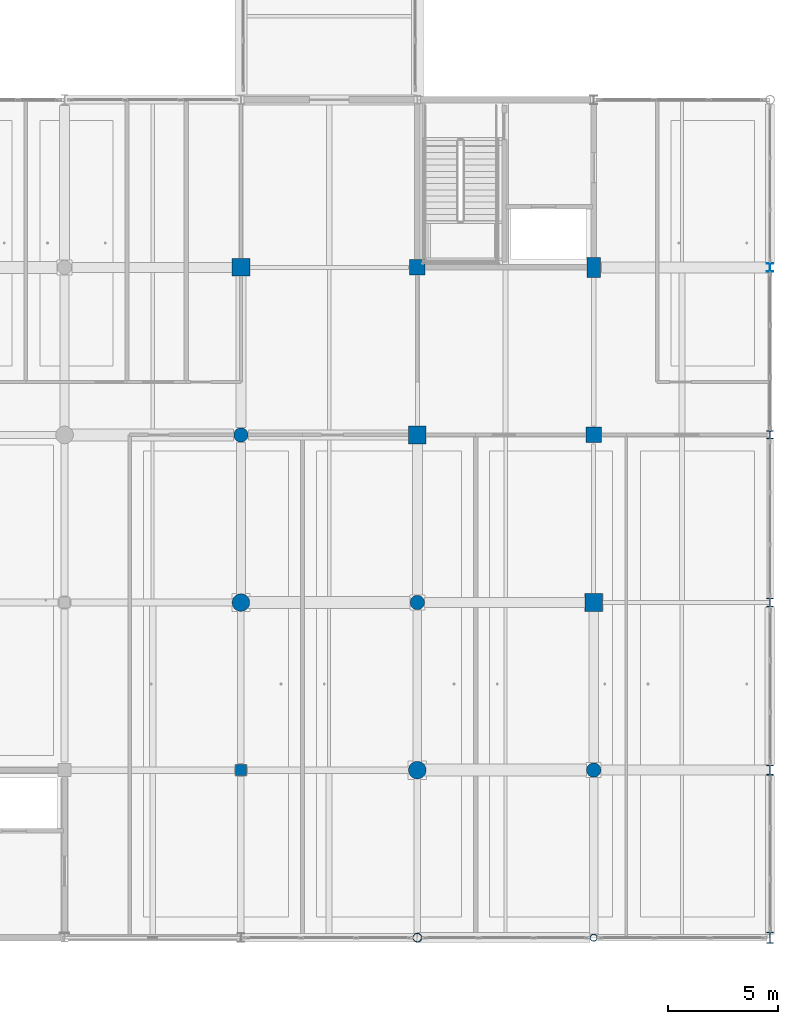
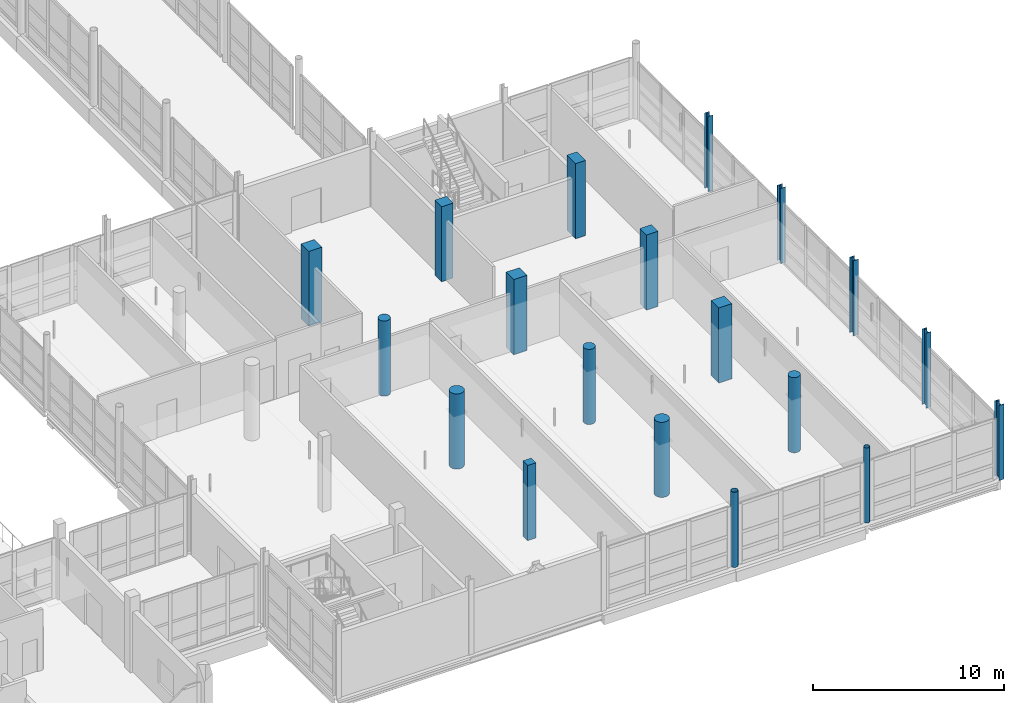
# One storey, part 7 of 147: 19 columns.
"""IFC4 building model written with IfcOpenShell, lengths in metres."""

from ifc_helpers import new_model, si_unit, direction, frame, origin, origin_2d, place, context, subcontext, project, spatial, rectangle, circle, hollow_circle, i_section, extrude, material, material_profile, profile_set, type_object, element, save


model = new_model("IFC4")

# Units and contexts
model_context = context("Model", 3, precision=1e-05, world=origin(), true_north=direction((0.0, 1.0)))
body_context = subcontext(model_context, "Body", "Model", "MODEL_VIEW")
ifc_project = project(units=[si_unit("LENGTHUNIT", "METRE"), si_unit("AREAUNIT", "SQUARE_METRE"), si_unit("VOLUMEUNIT", "CUBIC_METRE"), si_unit("PLANEANGLEUNIT", "RADIAN"), si_unit("MASSUNIT", "GRAM", prefix="KILO")], contexts=[model_context])

# Site, building, storey
site_placement = place(None, origin())
site = spatial("IfcSite", under=ifc_project, at=site_placement, CompositionType="ELEMENT")
building_placement = place(site_placement, origin())
building = spatial("IfcBuilding", under=site, at=building_placement, Name="Khelvaren Railside Concert Hall", CompositionType="ELEMENT")
storey_placement = place(building_placement, frame((0.0, 0.0, 5.39990234375)))
storey = spatial("IfcBuildingStorey", under=building, at=storey_placement, Name="L01", CompositionType="ELEMENT", Elevation=5.39990234375)

# Columns
ifc_material_1 = material(Name="Steel S355", Category="steel")
ifc_material_profile_1 = material_profile(ifc_material_1, i_section(OverallWidth=0.300048828125, OverallDepth=0.360107421875, WebThickness=0.012451171875, FlangeThickness=0.0224609375, FilletRadius=0.027099609375, at=origin_2d()), Name="HEB 360")
ifc_profile_set_1 = profile_set([ifc_material_profile_1], Name="Steel S355")
column_type_1 = type_object("IfcColumnType", Name="COL12", PredefinedType="COLUMN", material=ifc_profile_set_1)
column_1_placement = place(storey_placement, frame((184.0, 22.800048828125, 0.0), z_axis=(0.0, 0.0, 1.0), x_axis=(1.0, 0.0, 0.0)))
element("IfcColumn", 1, at=column_1_placement, inside=storey, type_object=column_type_1, Name="V2 L01 Column (184.0,22.8)", PredefinedType="COLUMN", context=body_context, shape_type="SweptSolid", body=[
    extrude(i_section(OverallWidth=0.300048828125, OverallDepth=0.360107421875, WebThickness=0.012451171875, FlangeThickness=0.0224609375, FilletRadius=0.027099609375, at=origin_2d()), origin(), (0.0, 0.0, 1.0), 4.800048828125),
])
ifc_material_2 = material(Name="Concrete C45/55", Category="concrete")
ifc_material_profile_2 = material_profile(ifc_material_2, circle(Radius=0.39990234375, at=origin_2d()), Name="RC D800")
ifc_profile_set_2 = profile_set([ifc_material_profile_2], Name="Concrete C45/55")
column_type_2 = type_object("IfcColumnType", Name="COL14", PredefinedType="COLUMN", material=ifc_profile_set_2)
for number, where, z_axis, x_axis, name in (
    (2, (160.0, 15.199951171875, 0.0), (0.0, 0.0, 1.0), (1.0, 0.0, 0.0), "V2 L01 Column (160.0,15.2)"),
    (3, (168.0, 7.60009765625, 0.0), (0.0, 0.0, 1.0), (1.0, 0.0, 0.0), "V2 L01 Column (168.0,7.6)"),
):
    element("IfcColumn", number, at=place(storey_placement, frame(where, z_axis=z_axis, x_axis=x_axis)), inside=storey, type_object=column_type_2, Name=name, PredefinedType="COLUMN", context=body_context, shape_type="SweptSolid", body=[
        extrude(circle(Radius=0.39990234375, at=origin_2d()), origin(), (0.0, 0.0, 1.0), 4.800048828125),
    ])
ifc_material_profile_3 = material_profile(ifc_material_1, i_section(OverallWidth=0.300048828125, OverallDepth=0.5, WebThickness=0.014404296875, FlangeThickness=0.028076171875, FilletRadius=0.027099609375, at=origin_2d()), Name="HEB 500")
ifc_profile_set_3 = profile_set([ifc_material_profile_3], Name="Steel S355")
column_type_3 = type_object("IfcColumnType", Name="COL15", PredefinedType="COLUMN", material=ifc_profile_set_3)
column_2_placement = place(storey_placement, frame((184.0, 0.0, 0.0), z_axis=(0.0, 0.0, 1.0), x_axis=(1.0, 0.0, 0.0)))
element("IfcColumn", 4, at=column_2_placement, inside=storey, type_object=column_type_3, Name="V2 L01 Column (184.0,0.0)", PredefinedType="COLUMN", context=body_context, shape_type="SweptSolid", body=[
    extrude(i_section(OverallWidth=0.300048828125, OverallDepth=0.5, WebThickness=0.014404296875, FlangeThickness=0.028076171875, FilletRadius=0.027099609375, at=origin_2d()), origin(), (0.0, 0.0, 1.0), 4.800048828125),
])
ifc_material_profile_4 = material_profile(ifc_material_2, rectangle(XDim=0.800048828125, YDim=0.800048828125, at=origin_2d()), Name="RC 800x800")
ifc_profile_set_4 = profile_set([ifc_material_profile_4], Name="Concrete C45/55")
column_type_4 = type_object("IfcColumnType", Name="COL20", PredefinedType="COLUMN", material=ifc_profile_set_4)
for number, where, z_axis, x_axis, name in (
    (5, (160.0, 30.39990234375, 0.0), (0.0, 0.0, 1.0), (1.0, 0.0, 0.0), "V2 L01 Column (160.0,30.4)"),
    (6, (168.0, 22.800048828125, 0.0), (0.0, 0.0, 1.0), (1.0, 0.0, 0.0), "V2 L01 Column (168.0,22.8)"),
    (7, (176.0, 15.199951171875, 0.0), (0.0, 0.0, 1.0), (1.0, 0.0, 0.0), "V2 L01 Column (176.0,15.2)"),
):
    element("IfcColumn", number, at=place(storey_placement, frame(where, z_axis=z_axis, x_axis=x_axis)), inside=storey, type_object=column_type_4, Name=name, PredefinedType="COLUMN", context=body_context, shape_type="SweptSolid", body=[
        extrude(rectangle(XDim=0.800048828125, YDim=0.800048828125, at=origin_2d()), origin(), (0.0, 0.0, 1.0), 4.800048828125),
    ])
ifc_material_profile_5 = material_profile(ifc_material_1, i_section(OverallWidth=0.300048828125, OverallDepth=0.389892578125, WebThickness=0.010986328125, FlangeThickness=0.01904296875, FilletRadius=0.027099609375, at=origin_2d()), Name="HEA 400")
ifc_profile_set_5 = profile_set([ifc_material_profile_5], Name="Steel S355")
column_type_5 = type_object("IfcColumnType", Name="COL23", PredefinedType="COLUMN", material=ifc_profile_set_5)
column_3_placement = place(storey_placement, frame((184.0, 30.39990234375, 0.0), z_axis=(0.0, 0.0, 1.0), x_axis=(1.0, 0.0, 0.0)))
element("IfcColumn", 8, at=column_3_placement, inside=storey, type_object=column_type_5, Name="V2 L01 Column (184.0,30.4)", PredefinedType="COLUMN", context=body_context, shape_type="SweptSolid", body=[
    extrude(i_section(OverallWidth=0.300048828125, OverallDepth=0.389892578125, WebThickness=0.010986328125, FlangeThickness=0.01904296875, FilletRadius=0.027099609375, at=origin_2d()), origin(), (0.0, 0.0, 1.0), 4.800048828125),
])
ifc_material_profile_6 = material_profile(ifc_material_1, hollow_circle(Radius=0.203125, WallThickness=0.02001953125, at=origin_2d()), Name="CHS 406.4x20")
ifc_profile_set_6 = profile_set([ifc_material_profile_6], Name="Steel S355")
column_type_6 = type_object("IfcColumnType", Name="COL27", PredefinedType="COLUMN", material=ifc_profile_set_6)
column_4_placement = place(storey_placement, frame((168.0, 0.0, 0.0), z_axis=(0.0, 0.0, 1.0), x_axis=(1.0, 0.0, 0.0)))
element("IfcColumn", 9, at=column_4_placement, inside=storey, type_object=column_type_6, Name="V2 L01 Column (168.0,0.0)", PredefinedType="COLUMN", context=body_context, shape_type="SweptSolid", body=[
    extrude(hollow_circle(Radius=0.203125, WallThickness=0.02001953125, at=origin_2d()), origin(), (0.0, 0.0, 1.0), 4.800048828125),
])
ifc_material_profile_7 = material_profile(ifc_material_2, rectangle(XDim=0.60009765625, YDim=0.89990234375, at=origin_2d()), Name="RC 600x900")
ifc_profile_set_7 = profile_set([ifc_material_profile_7], Name="Concrete C45/55")
column_type_7 = type_object("IfcColumnType", Name="COL33", PredefinedType="COLUMN", material=ifc_profile_set_7)
column_5_placement = place(storey_placement, frame((176.0, 30.39990234375, 0.0), z_axis=(0.0, 0.0, 1.0), x_axis=(1.0, 0.0, 0.0)))
element("IfcColumn", 10, at=column_5_placement, inside=storey, type_object=column_type_7, Name="V2 L01 Column (176.0,30.4)", PredefinedType="COLUMN", context=body_context, shape_type="SweptSolid", body=[
    extrude(rectangle(XDim=0.60009765625, YDim=0.89990234375, at=origin_2d()), origin(), (0.0, 0.0, 1.0), 4.800048828125),
])
ifc_material_profile_8 = material_profile(ifc_material_1, hollow_circle(Radius=0.161865234375, WallThickness=0.01611328125, at=origin_2d()), Name="CHS 323.9x16")
ifc_profile_set_8 = profile_set([ifc_material_profile_8], Name="Steel S355")
column_type_8 = type_object("IfcColumnType", Name="COL47", PredefinedType="COLUMN", material=ifc_profile_set_8)
column_6_placement = place(storey_placement, frame((176.0, 0.0, 0.0), z_axis=(0.0, 0.0, 1.0), x_axis=(1.0, 0.0, 0.0)))
element("IfcColumn", 11, at=column_6_placement, inside=storey, type_object=column_type_8, Name="V2 L01 Column (176.0,0.0)", PredefinedType="COLUMN", context=body_context, shape_type="SweptSolid", body=[
    extrude(hollow_circle(Radius=0.161865234375, WallThickness=0.01611328125, at=origin_2d()), origin(), (0.0, 0.0, 1.0), 4.800048828125),
])
ifc_material_profile_9 = material_profile(ifc_material_2, rectangle(XDim=0.699951171875, YDim=0.699951171875, at=origin_2d()), Name="RC 700x700")
ifc_profile_set_9 = profile_set([ifc_material_profile_9], Name="Concrete C45/55")
column_type_9 = type_object("IfcColumnType", Name="COL74", PredefinedType="COLUMN", material=ifc_profile_set_9)
for number, where, z_axis, x_axis, name in (
    (12, (168.0, 30.39990234375, 0.0), (0.0, 0.0, 1.0), (1.0, 0.0, 0.0), "V2 L01 Column (168.0,30.4)"),
    (13, (176.0, 22.800048828125, 0.0), (0.0, 0.0, 1.0), (1.0, 0.0, 0.0), "V2 L01 Column (176.0,22.8)"),
):
    element("IfcColumn", number, at=place(storey_placement, frame(where, z_axis=z_axis, x_axis=x_axis)), inside=storey, type_object=column_type_9, Name=name, PredefinedType="COLUMN", context=body_context, shape_type="SweptSolid", body=[
        extrude(rectangle(XDim=0.699951171875, YDim=0.699951171875, at=origin_2d()), origin(), (0.0, 0.0, 1.0), 4.800048828125),
    ])
ifc_material_profile_10 = material_profile(ifc_material_1, i_section(OverallWidth=0.300048828125, OverallDepth=0.449951171875, WebThickness=0.013916015625, FlangeThickness=0.02587890625, FilletRadius=0.027099609375, at=origin_2d()), Name="HEB 450")
ifc_profile_set_10 = profile_set([ifc_material_profile_10], Name="Steel S355")
column_type_10 = type_object("IfcColumnType", Name="COL77", PredefinedType="COLUMN", material=ifc_profile_set_10)
column_7_placement = place(storey_placement, frame((184.0, 7.60009765625, 0.0), z_axis=(0.0, 0.0, 1.0), x_axis=(1.0, 0.0, 0.0)))
element("IfcColumn", 14, at=column_7_placement, inside=storey, type_object=column_type_10, Name="V2 L01 Column (184.0,7.6)", PredefinedType="COLUMN", context=body_context, shape_type="SweptSolid", body=[
    extrude(i_section(OverallWidth=0.300048828125, OverallDepth=0.449951171875, WebThickness=0.013916015625, FlangeThickness=0.02587890625, FilletRadius=0.027099609375, at=origin_2d()), origin(), (0.0, 0.0, 1.0), 4.800048828125),
])
ifc_material_profile_11 = material_profile(ifc_material_2, rectangle(XDim=0.5, YDim=0.5, at=origin_2d()), Name="RC 500x500")
ifc_profile_set_11 = profile_set([ifc_material_profile_11], Name="Concrete C45/55")
column_type_11 = type_object("IfcColumnType", Name="COL84", PredefinedType="COLUMN", material=ifc_profile_set_11)
column_8_placement = place(storey_placement, frame((160.0, 7.60009765625, 0.0), z_axis=(0.0, 0.0, 1.0), x_axis=(1.0, 0.0, 0.0)))
element("IfcColumn", 15, at=column_8_placement, inside=storey, type_object=column_type_11, Name="V2 L01 Column (160.0,7.6)", PredefinedType="COLUMN", context=body_context, shape_type="SweptSolid", body=[
    extrude(rectangle(XDim=0.5, YDim=0.5, at=origin_2d()), origin(), (0.0, 0.0, 1.0), 4.800048828125),
])
ifc_material_profile_12 = material_profile(ifc_material_1, i_section(OverallWidth=0.300048828125, OverallDepth=0.39990234375, WebThickness=0.013427734375, FlangeThickness=0.02392578125, FilletRadius=0.027099609375, at=origin_2d()), Name="HEB 400")
ifc_profile_set_12 = profile_set([ifc_material_profile_12], Name="Steel S355")
column_type_12 = type_object("IfcColumnType", Name="COL88", PredefinedType="COLUMN", material=ifc_profile_set_12)
column_9_placement = place(storey_placement, frame((184.0, 15.199951171875, 0.0), z_axis=(0.0, 0.0, 1.0), x_axis=(1.0, 0.0, 0.0)))
element("IfcColumn", 16, at=column_9_placement, inside=storey, type_object=column_type_12, Name="V2 L01 Column (184.0,15.2)", PredefinedType="COLUMN", context=body_context, shape_type="SweptSolid", body=[
    extrude(i_section(OverallWidth=0.300048828125, OverallDepth=0.39990234375, WebThickness=0.013427734375, FlangeThickness=0.02392578125, FilletRadius=0.027099609375, at=origin_2d()), origin(), (0.0, 0.0, 1.0), 4.800048828125),
])
ifc_material_profile_13 = material_profile(ifc_material_2, circle(Radius=0.324951171875, at=origin_2d()), Name="RC D650")
ifc_profile_set_13 = profile_set([ifc_material_profile_13], Name="Concrete C45/55")
column_type_13 = type_object("IfcColumnType", Name="COL94", PredefinedType="COLUMN", material=ifc_profile_set_13)
for number, where, z_axis, x_axis, name in (
    (17, (160.0, 22.800048828125, 0.0), (0.0, 0.0, 1.0), (1.0, 0.0, 0.0), "V2 L01 Column (160.0,22.8)"),
    (18, (168.0, 15.199951171875, 0.0), (0.0, 0.0, 1.0), (1.0, 0.0, 0.0), "V2 L01 Column (168.0,15.2)"),
    (19, (176.0, 7.60009765625, 0.0), (0.0, 0.0, 1.0), (1.0, 0.0, 0.0), "V2 L01 Column (176.0,7.6)"),
):
    element("IfcColumn", number, at=place(storey_placement, frame(where, z_axis=z_axis, x_axis=x_axis)), inside=storey, type_object=column_type_13, Name=name, PredefinedType="COLUMN", context=body_context, shape_type="SweptSolid", body=[
        extrude(circle(Radius=0.324951171875, at=origin_2d()), origin(), (0.0, 0.0, 1.0), 4.800048828125),
    ])

save(model, "model.ifc")
